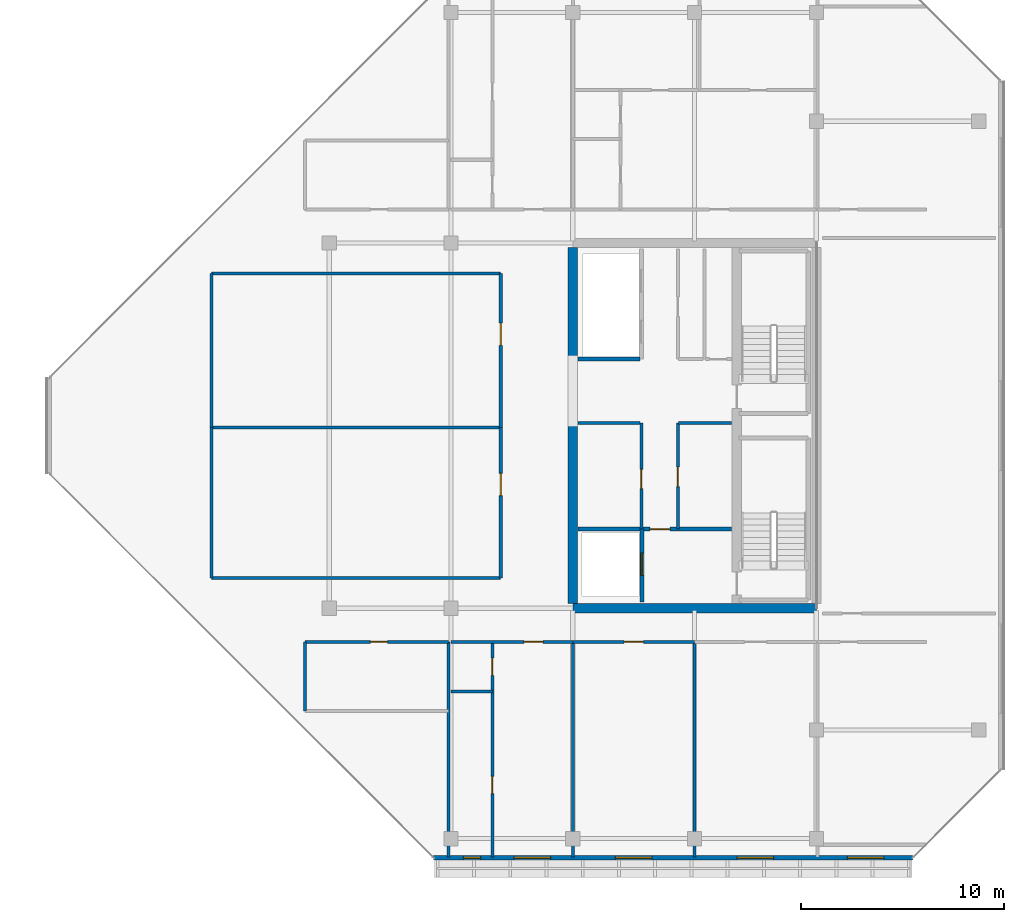
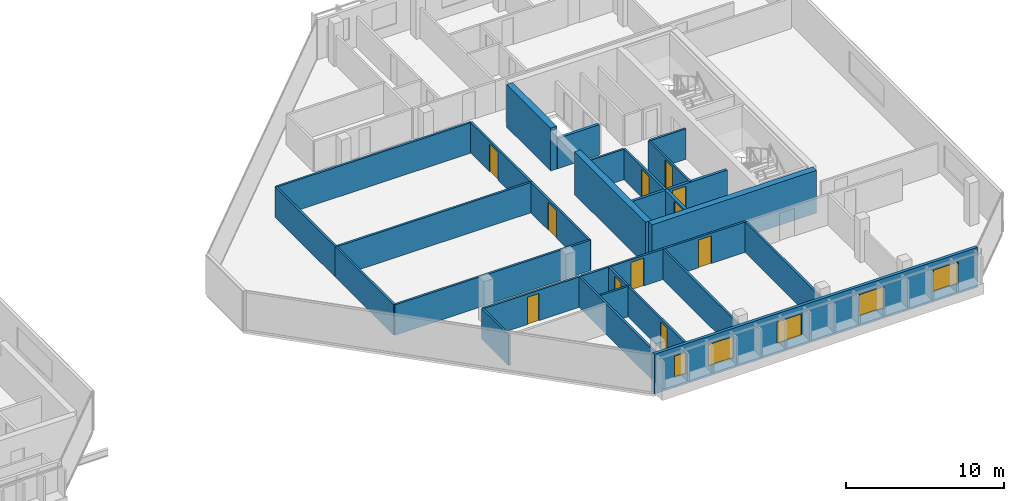
# One storey, part 22 of 28: 27 walls, 11 doors, 5 windows, 16 openings.
"""IFC4 building model written with IfcOpenShell, lengths in metres."""

from ifc_helpers import new_model, si_unit, direction, frame, frame_2d, origin, place, context, subcontext, project, spatial, rectangle, extrude, material, layer, layer_set, type_object, element, fill, save


model = new_model("IFC4")

# Units and contexts
model_context = context("Model", 3, precision=1e-05, world=origin(), true_north=direction((0.0, 1.0)))
body_context = subcontext(model_context, "Body", "Model", "MODEL_VIEW")
ifc_project = project(units=[si_unit("LENGTHUNIT", "METRE"), si_unit("AREAUNIT", "SQUARE_METRE"), si_unit("VOLUMEUNIT", "CUBIC_METRE"), si_unit("PLANEANGLEUNIT", "RADIAN"), si_unit("MASSUNIT", "GRAM", prefix="KILO")], contexts=[model_context])

# Site, building, storey
site_placement = place(None, origin())
site = spatial("IfcSite", under=ifc_project, at=site_placement, CompositionType="ELEMENT")
building_placement = place(site_placement, origin())
building = spatial("IfcBuilding", under=site, at=building_placement, Name="Tanjung Sevakor Pilgrim Tower", CompositionType="ELEMENT")
storey_placement = place(building_placement, frame((0.0, 0.0, 239.25)))
storey = spatial("IfcBuildingStorey", under=building, at=storey_placement, Name="L67", CompositionType="ELEMENT", Elevation=239.25)

# Walls
ifc_material_1 = material(Name="Concrete C60/75", Category="concrete")
ifc_layer_1 = layer(ifc_material_1, 0.449951171875)
ifc_layer_set_1 = layer_set([ifc_layer_1], Name="WALL-CW-450")
wall_type_1 = type_object("IfcWallType", Name="WALL-CW-450", PredefinedType="SHEAR", material=ifc_layer_set_1)
wall_1_placement = place(storey_placement, frame((78.0, 24.60009765625, 0.0), z_axis=(0.0, 0.0, 1.0), x_axis=(1.0, 0.0, 0.0)))
element("IfcWall", 1, at=wall_1_placement, inside=storey, type_object=wall_type_1, Name="L67 E Core South Shear Wall", PredefinedType="SHEAR", context=body_context, shape_type="SweptSolid", body=[
    extrude(rectangle(XDim=12.0, YDim=0.449951171875, at=frame_2d((6.0, 0.0))), origin(), (0.0, 0.0, 1.0), 3.300048828125),
])
wall_2_placement = place(storey_placement, frame((78.0, 24.824951171875, 0.0), z_axis=(0.0, 0.0, 1.0), x_axis=(0.0, 1.0, 0.0)))
element("IfcWall", 2, at=wall_2_placement, inside=storey, type_object=wall_type_1, Name="L67 E Core Inner Shear Wall South", PredefinedType="SHEAR", context=body_context, shape_type="SweptSolid", body=[
    extrude(rectangle(XDim=8.97509765625, YDim=0.449951171875, at=frame_2d((4.487548828125, 0.0))), origin(), (0.0, 0.0, 1.0), 3.300048828125),
])
wall_3_placement = place(storey_placement, frame((78.0, 36.800048828125, 0.0), z_axis=(0.0, 0.0, 1.0), x_axis=(0.0, 1.0, 0.0)))
element("IfcWall", 3, at=wall_3_placement, inside=storey, type_object=wall_type_1, Name="L67 E Core Inner Shear Wall North", PredefinedType="SHEAR", context=body_context, shape_type="SweptSolid", body=[
    extrude(rectangle(XDim=5.574951171875, YDim=0.449951171875, at=frame_2d((2.78759765625, 0.0))), origin(), (0.0, 0.0, 1.0), 3.300048828125),
])
ifc_material_2 = material(Name="Concrete C40/50", Category="concrete")
ifc_layer_2 = layer(ifc_material_2, 0.14990234375)
ifc_layer_set_2 = layer_set([ifc_layer_2], Name="WT-COMP-150")
wall_type_2 = type_object("IfcWallType", Name="WT-COMP-150", PredefinedType="SOLIDWALL", material=ifc_layer_set_2)
wall_4_placement = place(storey_placement, frame((83.199951171875, 33.719970703125, 0.0), z_axis=(0.0, 0.0, 1.0), x_axis=(1.0, 0.0, 0.0)))
element("IfcWall", 4, at=wall_4_placement, inside=storey, type_object=wall_type_2, Name="L67 Partition IW-L67-015", PredefinedType="SOLIDWALL", context=body_context, shape_type="SweptSolid", body=[
    extrude(rectangle(XDim=2.630126953125, YDim=0.14990234375, at=frame_2d((1.31494140625, 0.0))), origin(), (0.0, 0.0, 1.0), 2.35009765625),
])

# Wall, opening, door
wall_5_placement = place(storey_placement, frame((83.179931640625, 28.5, 0.0), z_axis=(0.0, 0.0, 1.0), x_axis=(0.0, 1.0, 0.0)))
wall_5 = element("IfcWall", 5, at=wall_5_placement, inside=storey, type_object=wall_type_2, Name="L67 Partition IW-L67-016", PredefinedType="SOLIDWALL", context=body_context, shape_type="SweptSolid", body=[
    extrude(rectangle(XDim=5.219970703125, YDim=0.14990234375, at=frame_2d((2.60986328125, 0.0))), origin(), (0.0, 0.0, 1.0), 2.35009765625),
])
opening_1_placement = place(wall_5_placement, frame((2.10009765625, 0.0, 0.0)))
opening_1 = element("IfcOpeningElement", 6, at=opening_1_placement, cuts=wall_5, Name="Opening ID-FD2", PredefinedType="OPENING", context=body_context, shape_type="SweptSolid", body=[
    extrude(rectangle(XDim=0.949951171875, YDim=2.14990234375, at=frame_2d((0.47509765625, 1.074951171875))), frame((0.0, 0.0849609375, 0.0), z_axis=(0.0, -1.0, 0.0), x_axis=(1.0, 0.0, 0.0)), (0.0, 0.0, 1.0), 0.169921875),
])
ifc_material_3 = material(Name="Fire-Rated Timber", Category="wood")
door_type_1 = type_object("IfcDoorType", Name="DT-FIRE-950", OperationType="NOTDEFINED", PredefinedType="DOOR", material=ifc_material_3)
door_1_placement = place(opening_1_placement, origin())
door_1 = element("IfcDoor", 7, at=door_1_placement, inside=storey, type_object=door_type_1, Name="L67 Housekeeping Pantry Door", OperationType="SINGLE_SWING_LEFT", OverallHeight=2.14990234375, OverallWidth=0.949951171875, PredefinedType="DOOR", context=body_context, shape_type="SweptSolid", body=[
    extrude(rectangle(XDim=0.949951171875, YDim=2.14990234375, at=frame_2d((0.47509765625, 1.074951171875))), frame((0.0, 0.02490234375, 0.0), z_axis=(0.0, -1.0, 0.0), x_axis=(1.0, 0.0, 0.0)), (0.0, 0.0, 1.0), 0.050048828125),
])
fill(opening_1, door_1)

# Wall
wall_6_placement = place(storey_placement, frame((78.2451171875, 33.719970703125, 0.0), z_axis=(0.0, 0.0, 1.0), x_axis=(1.0, 0.0, 0.0)))
element("IfcWall", 8, at=wall_6_placement, inside=storey, type_object=wall_type_2, Name="L67 Partition IW-L67-017", PredefinedType="SOLIDWALL", context=body_context, shape_type="SweptSolid", body=[
    extrude(rectangle(XDim=3.074951171875, YDim=0.14990234375, at=frame_2d((1.53759765625, 0.0))), origin(), (0.0, 0.0, 1.0), 2.35009765625),
])

# Wall, opening, door
wall_7_placement = place(storey_placement, frame((81.3798828125, 28.5, 0.0), z_axis=(0.0, 0.0, 1.0), x_axis=(0.0, 1.0, 0.0)))
wall_7 = element("IfcWall", 9, at=wall_7_placement, inside=storey, type_object=wall_type_2, Name="L67 Partition IW-L67-018", PredefinedType="SOLIDWALL", context=body_context, shape_type="SweptSolid", body=[
    extrude(rectangle(XDim=5.219970703125, YDim=0.14990234375, at=frame_2d((2.60986328125, 0.0))), origin(), (0.0, 0.0, 1.0), 2.35009765625),
])
opening_2_placement = place(wall_7_placement, frame((2.0, 0.0, 0.0)))
opening_2 = element("IfcOpeningElement", 10, at=opening_2_placement, cuts=wall_7, Name="Opening ID-FD2", PredefinedType="OPENING", context=body_context, shape_type="SweptSolid", body=[
    extrude(rectangle(XDim=0.949951171875, YDim=2.14990234375, at=frame_2d((0.47509765625, 1.074951171875))), frame((0.0, 0.0849609375, 0.0), z_axis=(0.0, -1.0, 0.0), x_axis=(1.0, 0.0, 0.0)), (0.0, 0.0, 1.0), 0.169921875),
])
door_2_placement = place(opening_2_placement, origin())
door_2 = element("IfcDoor", 11, at=door_2_placement, inside=storey, type_object=door_type_1, Name="L67 Accessible WC Door", OperationType="SINGLE_SWING_RIGHT", OverallHeight=2.14990234375, OverallWidth=0.949951171875, PredefinedType="DOOR", context=body_context, shape_type="SweptSolid", body=[
    extrude(rectangle(XDim=0.949951171875, YDim=2.14990234375, at=frame_2d((0.47509765625, 1.074951171875))), frame((0.0, 0.02490234375, 0.0), z_axis=(0.0, -1.0, 0.0), x_axis=(1.0, 0.0, 0.0)), (0.0, 0.0, 1.0), 0.050048828125),
])
fill(opening_2, door_2)

wall_8_placement = place(storey_placement, frame((64.800048828125, 22.949951171875, 0.0), z_axis=(0.0, 0.0, 1.0), x_axis=(1.0, 0.0, 0.0)))
wall_8 = element("IfcWall", 12, at=wall_8_placement, inside=storey, type_object=wall_type_2, Name="L67 Partition IW-L67-034", PredefinedType="SOLIDWALL", context=body_context, shape_type="SweptSolid", body=[
    extrude(rectangle(XDim=7.079833984375, YDim=0.14990234375, at=frame_2d((3.5400390625, 0.0))), origin(), (0.0, 0.0, 1.0), 2.35009765625),
])
opening_3_placement = place(wall_8_placement, frame((3.22509765625, 0.0, 0.0)))
opening_3 = element("IfcOpeningElement", 13, at=opening_3_placement, cuts=wall_8, Name="Opening ID-WC1", PredefinedType="OPENING", context=body_context, shape_type="SweptSolid", body=[
    extrude(rectangle(XDim=0.85009765625, YDim=2.10009765625, at=frame_2d((0.425048828125, 1.050048828125))), frame((0.0, 0.0849609375, 0.0), z_axis=(0.0, -1.0, 0.0), x_axis=(1.0, 0.0, 0.0)), (0.0, 0.0, 1.0), 0.169921875),
])
ifc_material_4 = material(Name="Moisture-Resistant Timber", Category="wood")
door_type_2 = type_object("IfcDoorType", Name="DT-INT-850", OperationType="NOTDEFINED", PredefinedType="DOOR", material=ifc_material_4)
door_3_placement = place(opening_3_placement, origin())
door_3 = element("IfcDoor", 14, at=door_3_placement, inside=storey, type_object=door_type_2, Name="L67 SW Crown Suite Door", OperationType="SINGLE_SWING_RIGHT", OverallHeight=2.10009765625, OverallWidth=0.85009765625, PredefinedType="DOOR", context=body_context, shape_type="SweptSolid", body=[
    extrude(rectangle(XDim=0.85009765625, YDim=2.10009765625, at=frame_2d((0.425048828125, 1.050048828125))), frame((0.0, 0.02490234375, 0.0), z_axis=(0.0, -1.0, 0.0), x_axis=(1.0, 0.0, 0.0)), (0.0, 0.0, 1.0), 0.050048828125),
])
fill(opening_3, door_3)

# Walls
wall_9_placement = place(storey_placement, frame((64.800048828125, 19.550048828125, 0.0), z_axis=(0.0, 0.0, 1.0), x_axis=(0.0, 1.0, 0.0)))
element("IfcWall", 15, at=wall_9_placement, inside=storey, type_object=wall_type_2, Name="L67 Partition IW-L67-035", PredefinedType="SOLIDWALL", context=body_context, shape_type="SweptSolid", body=[
    extrude(rectangle(XDim=3.39990234375, YDim=0.14990234375, at=frame_2d((1.699951171875, 0.0))), origin(), (0.0, 0.0, 1.0), 2.35009765625),
])
for number, where, z_axis, x_axis, name in (
    (16, (71.8798828125, 12.340087890625, 0.0), (0.0, 0.0, 1.0), (0.0, 1.0, 0.0), "L67 Partition IW-L67-036"),
    (17, (78.0, 12.340087890625, 0.0), (0.0, 0.0, 1.0), (0.0, 1.0, 0.0), "L67 Partition IW-L67-049"),
):
    element("IfcWall", number, at=place(storey_placement, frame(where, z_axis=z_axis, x_axis=x_axis)), inside=storey, type_object=wall_type_2, Name=name, PredefinedType="SOLIDWALL", context=body_context, shape_type="SweptSolid", body=[
        extrude(rectangle(XDim=10.60986328125, YDim=0.14990234375, at=frame_2d((5.304931640625, 0.0))), origin(), (0.0, 0.0, 1.0), 2.35009765625),
    ])

# Wall, opening, door
wall_10_placement = place(storey_placement, frame((72.0, 22.949951171875, 0.0), z_axis=(0.0, 0.0, 1.0), x_axis=(1.0, 0.0, 0.0)))
wall_10 = element("IfcWall", 18, at=wall_10_placement, inside=storey, type_object=wall_type_2, Name="L67 Partition IW-L67-052", PredefinedType="SOLIDWALL", context=body_context, shape_type="SweptSolid", body=[
    extrude(rectangle(XDim=6.0, YDim=0.14990234375, at=frame_2d((3.0, 0.0))), origin(), (0.0, 0.0, 1.0), 2.35009765625),
])
opening_4_placement = place(wall_10_placement, frame((3.5849609375, 0.0, 0.0)))
opening_4 = element("IfcOpeningElement", 19, at=opening_4_placement, cuts=wall_10, Name="Opening ID-FD2", PredefinedType="OPENING", context=body_context, shape_type="SweptSolid", body=[
    extrude(rectangle(XDim=0.949951171875, YDim=2.14990234375, at=frame_2d((0.47509765625, 1.074951171875))), frame((0.0, 0.0849609375, 0.0), z_axis=(0.0, -1.0, 0.0), x_axis=(1.0, 0.0, 0.0)), (0.0, 0.0, 1.0), 0.169921875),
])
door_4_placement = place(opening_4_placement, origin())
door_4 = element("IfcDoor", 20, at=door_4_placement, inside=storey, type_object=door_type_1, Name="Hotel Guestroom Entrance", OperationType="SINGLE_SWING_LEFT", OverallHeight=2.14990234375, OverallWidth=0.949951171875, PredefinedType="DOOR", context=body_context, shape_type="SweptSolid", body=[
    extrude(rectangle(XDim=0.949951171875, YDim=2.14990234375, at=frame_2d((0.47509765625, 1.074951171875))), frame((0.0, 0.02490234375, 0.0), z_axis=(0.0, -1.0, 0.0), x_axis=(1.0, 0.0, 0.0)), (0.0, 0.0, 1.0), 0.050048828125),
])
fill(opening_4, door_4)

# Wall
wall_11_placement = place(storey_placement, frame((84.0, 12.340087890625, 0.0), z_axis=(0.0, 0.0, 1.0), x_axis=(0.0, 1.0, 0.0)))
element("IfcWall", 21, at=wall_11_placement, inside=storey, type_object=wall_type_2, Name="L67 Partition IW-L67-053", PredefinedType="SOLIDWALL", context=body_context, shape_type="SweptSolid", body=[
    extrude(rectangle(XDim=10.60986328125, YDim=0.14990234375, at=frame_2d((5.304931640625, 0.0))), origin(), (0.0, 0.0, 1.0), 2.35009765625),
])

# Wall, opening, door
wall_12_placement = place(storey_placement, frame((78.0, 22.949951171875, 0.0), z_axis=(0.0, 0.0, 1.0), x_axis=(1.0, 0.0, 0.0)))
wall_12 = element("IfcWall", 22, at=wall_12_placement, inside=storey, type_object=wall_type_2, Name="L67 Partition IW-L67-054", PredefinedType="SOLIDWALL", context=body_context, shape_type="SweptSolid", body=[
    extrude(rectangle(XDim=6.0, YDim=0.14990234375, at=frame_2d((3.0, 0.0))), origin(), (0.0, 0.0, 1.0), 2.35009765625),
])
opening_5_placement = place(wall_12_placement, frame((2.52490234375, 0.0, 0.0)))
opening_5 = element("IfcOpeningElement", 23, at=opening_5_placement, cuts=wall_12, Name="Opening ID-FD2", PredefinedType="OPENING", context=body_context, shape_type="SweptSolid", body=[
    extrude(rectangle(XDim=0.949951171875, YDim=2.14990234375, at=frame_2d((0.47509765625, 1.074951171875))), frame((0.0, 0.0849609375, 0.0), z_axis=(0.0, -1.0, 0.0), x_axis=(1.0, 0.0, 0.0)), (0.0, 0.0, 1.0), 0.169921875),
])
door_5_placement = place(opening_5_placement, origin())
door_5 = element("IfcDoor", 24, at=door_5_placement, inside=storey, type_object=door_type_1, Name="Housekeeping Pantry Door", OperationType="SINGLE_SWING_RIGHT", OverallHeight=2.14990234375, OverallWidth=0.949951171875, PredefinedType="DOOR", context=body_context, shape_type="SweptSolid", body=[
    extrude(rectangle(XDim=0.949951171875, YDim=2.14990234375, at=frame_2d((0.47509765625, 1.074951171875))), frame((0.0, 0.02490234375, 0.0), z_axis=(0.0, -1.0, 0.0), x_axis=(1.0, 0.0, 0.0)), (0.0, 0.0, 1.0), 0.050048828125),
])
fill(opening_5, door_5)

# Walls
for number, where, z_axis, x_axis, name in (
    (25, (60.199951171875, 26.10009765625, 0.0), (0.0, 0.0, 1.0), (1.0, 0.0, 0.0), "L67 Partition IW-L67-065"),
    (26, (60.199951171875, 33.5, 0.0), (0.0, 0.0, 1.0), (1.0, 0.0, 0.0), "L67 Partition IW-L67-066"),
):
    element("IfcWall", number, at=place(storey_placement, frame(where, z_axis=z_axis, x_axis=x_axis)), inside=storey, type_object=wall_type_2, Name=name, PredefinedType="SOLIDWALL", context=body_context, shape_type="SweptSolid", body=[
        extrude(rectangle(XDim=14.25, YDim=0.14990234375, at=frame_2d((7.125, 0.0))), origin(), (0.0, 0.0, 1.0), 2.35009765625),
    ])
wall_13_placement = place(storey_placement, frame((60.199951171875, 26.10009765625, 0.0), z_axis=(0.0, 0.0, 1.0), x_axis=(0.0, 1.0, 0.0)))
element("IfcWall", 27, at=wall_13_placement, inside=storey, type_object=wall_type_2, Name="L67 Partition IW-L67-067", PredefinedType="SOLIDWALL", context=body_context, shape_type="SweptSolid", body=[
    extrude(rectangle(XDim=7.39990234375, YDim=0.14990234375, at=frame_2d((3.699951171875, 0.0))), origin(), (0.0, 0.0, 1.0), 2.35009765625),
])

# Wall, opening, door
wall_14_placement = place(storey_placement, frame((74.449951171875, 26.10009765625, 0.0), z_axis=(0.0, 0.0, 1.0), x_axis=(0.0, 1.0, 0.0)))
wall_14 = element("IfcWall", 28, at=wall_14_placement, inside=storey, type_object=wall_type_2, Name="L67 Partition IW-L67-068", PredefinedType="SOLIDWALL", context=body_context, shape_type="SweptSolid", body=[
    extrude(rectangle(XDim=7.39990234375, YDim=0.14990234375, at=frame_2d((3.699951171875, 0.0))), origin(), (0.0, 0.0, 1.0), 2.35009765625),
])
opening_6_placement = place(wall_14_placement, frame((4.050048828125, 0.0, 0.0)))
opening_6 = element("IfcOpeningElement", 29, at=opening_6_placement, cuts=wall_14, Name="Opening ID-RM2", PredefinedType="OPENING", context=body_context, shape_type="SweptSolid", body=[
    extrude(rectangle(XDim=1.10009765625, YDim=2.14990234375, at=frame_2d((0.550048828125, 1.074951171875))), frame((0.0, 0.0849609375, 0.0), z_axis=(0.0, -1.0, 0.0), x_axis=(1.0, 0.0, 0.0)), (0.0, 0.0, 1.0), 0.169921875),
])
ifc_material_5 = material(Name="Hardwood Timber", Category="wood")
door_type_3 = type_object("IfcDoorType", Name="DT-INT-1100", OperationType="NOTDEFINED", PredefinedType="DOOR", material=ifc_material_5)
door_6_placement = place(opening_6_placement, origin())
door_6 = element("IfcDoor", 30, at=door_6_placement, inside=storey, type_object=door_type_3, Name="L67 Crown Chapel Door", OperationType="SINGLE_SWING_RIGHT", OverallHeight=2.14990234375, OverallWidth=1.10009765625, PredefinedType="DOOR", context=body_context, shape_type="SweptSolid", body=[
    extrude(rectangle(XDim=1.10009765625, YDim=2.14990234375, at=frame_2d((0.550048828125, 1.074951171875))), frame((0.0, 0.02490234375, 0.0), z_axis=(0.0, -1.0, 0.0), x_axis=(1.0, 0.0, 0.0)), (0.0, 0.0, 1.0), 0.050048828125),
])
fill(opening_6, door_6)

# Walls
wall_15_placement = place(storey_placement, frame((60.199951171875, 41.10009765625, 0.0), z_axis=(0.0, 0.0, 1.0), x_axis=(1.0, 0.0, 0.0)))
element("IfcWall", 31, at=wall_15_placement, inside=storey, type_object=wall_type_2, Name="L67 Partition IW-L67-069", PredefinedType="SOLIDWALL", context=body_context, shape_type="SweptSolid", body=[
    extrude(rectangle(XDim=14.25, YDim=0.14990234375, at=frame_2d((7.125, 0.0))), origin(), (0.0, 0.0, 1.0), 2.35009765625),
])
wall_16_placement = place(storey_placement, frame((60.199951171875, 33.5, 0.0), z_axis=(0.0, 0.0, 1.0), x_axis=(0.0, 1.0, 0.0)))
element("IfcWall", 32, at=wall_16_placement, inside=storey, type_object=wall_type_2, Name="L67 Partition IW-L67-070", PredefinedType="SOLIDWALL", context=body_context, shape_type="SweptSolid", body=[
    extrude(rectangle(XDim=7.60009765625, YDim=0.14990234375, at=frame_2d((3.800048828125, 0.0))), origin(), (0.0, 0.0, 1.0), 2.35009765625),
])

# Wall, opening, door
wall_17_placement = place(storey_placement, frame((74.449951171875, 33.5, 0.0), z_axis=(0.0, 0.0, 1.0), x_axis=(0.0, 1.0, 0.0)))
wall_17 = element("IfcWall", 33, at=wall_17_placement, inside=storey, type_object=wall_type_2, Name="L67 Partition IW-L67-071", PredefinedType="SOLIDWALL", context=body_context, shape_type="SweptSolid", body=[
    extrude(rectangle(XDim=7.60009765625, YDim=0.14990234375, at=frame_2d((3.800048828125, 0.0))), origin(), (0.0, 0.0, 1.0), 2.35009765625),
])
opening_7_placement = place(wall_17_placement, frame((4.050048828125, 0.0, 0.0)))
opening_7 = element("IfcOpeningElement", 34, at=opening_7_placement, cuts=wall_17, Name="Opening ID-RM2", PredefinedType="OPENING", context=body_context, shape_type="SweptSolid", body=[
    extrude(rectangle(XDim=1.10009765625, YDim=2.14990234375, at=frame_2d((0.550048828125, 1.074951171875))), frame((0.0, 0.0849609375, 0.0), z_axis=(0.0, -1.0, 0.0), x_axis=(1.0, 0.0, 0.0)), (0.0, 0.0, 1.0), 0.169921875),
])
door_7_placement = place(opening_7_placement, origin())
door_7 = element("IfcDoor", 35, at=door_7_placement, inside=storey, type_object=door_type_3, Name="L67 Crown Lounge Door", OperationType="SINGLE_SWING_LEFT", OverallHeight=2.14990234375, OverallWidth=1.10009765625, PredefinedType="DOOR", context=body_context, shape_type="SweptSolid", body=[
    extrude(rectangle(XDim=1.10009765625, YDim=2.14990234375, at=frame_2d((0.550048828125, 1.074951171875))), frame((0.0, 0.02490234375, 0.0), z_axis=(0.0, -1.0, 0.0), x_axis=(1.0, 0.0, 0.0)), (0.0, 0.0, 1.0), 0.050048828125),
])
fill(opening_7, door_7)

# Wall, openings, windows
ifc_material_6 = material(Name="Precast concrete C45/55", Category="concrete")
ifc_layer_3 = layer(ifc_material_6, 0.219970703125)
ifc_layer_set_3 = layer_set([ifc_layer_3], Name="WT-EW-STN4")
wall_type_3 = type_object("IfcWallType", Name="WT-EW-STN4", PredefinedType="SOLIDWALL", material=ifc_layer_set_3)
wall_18_placement = place(storey_placement, frame((71.1455078125, 12.31005859375, 0.0), z_axis=(0.0, 0.0, 1.0), x_axis=(1.0, 0.0, 0.0)))
wall_18 = element("IfcWall", 36, at=wall_18_placement, inside=storey, type_object=wall_type_3, Name="L67 EAST Exterior Wall 1", PredefinedType="SOLIDWALL", context=body_context, shape_type="SweptSolid", body=[
    extrude(rectangle(XDim=23.60888671875, YDim=0.219970703125, at=frame_2d((11.804443359375, 0.0))), origin(), (0.0, 0.0, 1.0), 3.080078125),
])
opening_8_placement = place(wall_18_placement, frame((20.381591796875, 0.0, 0.780029296875)))
opening_8 = element("IfcOpeningElement", 37, at=opening_8_placement, cuts=wall_18, Name="Opening WN-Z3-1660", PredefinedType="OPENING", context=body_context, shape_type="SweptSolid", body=[
    extrude(rectangle(XDim=1.800048828125, YDim=1.659912109375, at=frame_2d((0.89990234375, 0.830078125))), frame((0.0, 0.119873046875, 0.0), z_axis=(0.0, -1.0, 0.0), x_axis=(1.0, 0.0, 0.0)), (0.0, 0.0, 1.0), 0.239990234375),
])
opening_9_placement = place(wall_18_placement, frame((1.45947265625, 0.0, 0.780029296875)))
opening_9 = element("IfcOpeningElement", 38, at=opening_9_placement, cuts=wall_18, Name="Opening WN-SLM", PredefinedType="OPENING", context=body_context, shape_type="SweptSolid", body=[
    extrude(rectangle(XDim=0.85009765625, YDim=1.64990234375, at=frame_2d((0.425048828125, 0.824951171875))), frame((0.0, 0.119873046875, 0.0), z_axis=(0.0, -1.0, 0.0), x_axis=(1.0, 0.0, 0.0)), (0.0, 0.0, 1.0), 0.239990234375),
])
opening_10_placement = place(wall_18_placement, frame((3.96435546875, 0.0, 0.780029296875)))
opening_10 = element("IfcOpeningElement", 39, at=opening_10_placement, cuts=wall_18, Name="Opening WN-Z3-1660", PredefinedType="OPENING", context=body_context, shape_type="SweptSolid", body=[
    extrude(rectangle(XDim=1.800048828125, YDim=1.659912109375, at=frame_2d((0.89990234375, 0.830078125))), frame((0.0, 0.119873046875, 0.0), z_axis=(0.0, -1.0, 0.0), x_axis=(1.0, 0.0, 0.0)), (0.0, 0.0, 1.0), 0.239990234375),
])
opening_11_placement = place(wall_18_placement, frame((8.954345703125, 0.0, 0.780029296875)))
opening_11 = element("IfcOpeningElement", 40, at=opening_11_placement, cuts=wall_18, Name="Opening WN-Z3-1660", PredefinedType="OPENING", context=body_context, shape_type="SweptSolid", body=[
    extrude(rectangle(XDim=1.800048828125, YDim=1.659912109375, at=frame_2d((0.89990234375, 0.830078125))), frame((0.0, 0.119873046875, 0.0), z_axis=(0.0, -1.0, 0.0), x_axis=(1.0, 0.0, 0.0)), (0.0, 0.0, 1.0), 0.239990234375),
])
opening_12_placement = place(wall_18_placement, frame((14.954345703125, 0.0, 0.780029296875)))
opening_12 = element("IfcOpeningElement", 41, at=opening_12_placement, cuts=wall_18, Name="Opening WN-Z3-1660", PredefinedType="OPENING", context=body_context, shape_type="SweptSolid", body=[
    extrude(rectangle(XDim=1.800048828125, YDim=1.659912109375, at=frame_2d((0.89990234375, 0.830078125))), frame((0.0, 0.119873046875, 0.0), z_axis=(0.0, -1.0, 0.0), x_axis=(1.0, 0.0, 0.0)), (0.0, 0.0, 1.0), 0.239990234375),
])
ifc_material_7 = material(Name="Thermally Broken Aluminium and Low-E Glass", Category="aluminium")
window_type_1 = type_object("IfcWindowType", Name="WTYP-WN-SLM", PartitioningType="SINGLE_PANEL", PredefinedType="WINDOW", material=ifc_material_7)
window_1_placement = place(opening_9_placement, origin())
window_1 = element("IfcWindow", 42, at=window_1_placement, inside=storey, type_object=window_type_1, Name="L67 Facade Window 02", OverallHeight=1.64990234375, OverallWidth=0.85009765625, PartitioningType="SINGLE_PANEL", PredefinedType="WINDOW", context=body_context, shape_type="SweptSolid", body=[
    extrude(rectangle(XDim=0.85009765625, YDim=1.64990234375, at=frame_2d((0.425048828125, 0.824951171875))), frame((0.0, 0.030029296875, 0.0), z_axis=(0.0, -1.0, 0.0), x_axis=(1.0, 0.0, 0.0)), (0.0, 0.0, 1.0), 0.06005859375),
])
fill(opening_9, window_1)
ifc_material_8 = material(Name="Thermally Broken Aluminium and Low-E Glass", Category="aluminium")
window_type_2 = type_object("IfcWindowType", Name="WTYP-WN-Z3-1660", PartitioningType="DOUBLE_PANEL_VERTICAL", PredefinedType="WINDOW", material=ifc_material_8)
window_2_placement = place(opening_8_placement, origin())
window_2 = element("IfcWindow", 43, at=window_2_placement, inside=storey, type_object=window_type_2, Name="L67 Facade Window 01", OverallHeight=1.659912109375, OverallWidth=1.800048828125, PartitioningType="SINGLE_PANEL", PredefinedType="WINDOW", context=body_context, shape_type="SweptSolid", body=[
    extrude(rectangle(XDim=1.800048828125, YDim=1.659912109375, at=frame_2d((0.89990234375, 0.830078125))), frame((0.0, 0.030029296875, 0.0), z_axis=(0.0, -1.0, 0.0), x_axis=(1.0, 0.0, 0.0)), (0.0, 0.0, 1.0), 0.06005859375),
])
fill(opening_8, window_2)
window_3_placement = place(opening_10_placement, origin())
window_3 = element("IfcWindow", 44, at=window_3_placement, inside=storey, type_object=window_type_2, Name="L67 Facade Window 03", OverallHeight=1.659912109375, OverallWidth=1.800048828125, PartitioningType="SINGLE_PANEL", PredefinedType="WINDOW", context=body_context, shape_type="SweptSolid", body=[
    extrude(rectangle(XDim=1.800048828125, YDim=1.659912109375, at=frame_2d((0.89990234375, 0.830078125))), frame((0.0, 0.030029296875, 0.0), z_axis=(0.0, -1.0, 0.0), x_axis=(1.0, 0.0, 0.0)), (0.0, 0.0, 1.0), 0.06005859375),
])
fill(opening_10, window_3)
window_4_placement = place(opening_11_placement, origin())
window_4 = element("IfcWindow", 45, at=window_4_placement, inside=storey, type_object=window_type_2, Name="L67 Facade Window 04", OverallHeight=1.659912109375, OverallWidth=1.800048828125, PartitioningType="SINGLE_PANEL", PredefinedType="WINDOW", context=body_context, shape_type="SweptSolid", body=[
    extrude(rectangle(XDim=1.800048828125, YDim=1.659912109375, at=frame_2d((0.89990234375, 0.830078125))), frame((0.0, 0.030029296875, 0.0), z_axis=(0.0, -1.0, 0.0), x_axis=(1.0, 0.0, 0.0)), (0.0, 0.0, 1.0), 0.06005859375),
])
fill(opening_11, window_4)
window_5_placement = place(opening_12_placement, origin())
window_5 = element("IfcWindow", 46, at=window_5_placement, inside=storey, type_object=window_type_2, Name="L67 Facade Window 05", OverallHeight=1.659912109375, OverallWidth=1.800048828125, PartitioningType="SINGLE_PANEL", PredefinedType="WINDOW", context=body_context, shape_type="SweptSolid", body=[
    extrude(rectangle(XDim=1.800048828125, YDim=1.659912109375, at=frame_2d((0.89990234375, 0.830078125))), frame((0.0, 0.030029296875, 0.0), z_axis=(0.0, -1.0, 0.0), x_axis=(1.0, 0.0, 0.0)), (0.0, 0.0, 1.0), 0.06005859375),
])
fill(opening_12, window_5)

# Wall, opening, door
ifc_material_9 = material(Name="Concrete C40/50", Category="concrete")
ifc_layer_4 = layer(ifc_material_9, 0.199951171875)
ifc_layer_set_4 = layer_set([ifc_layer_4], Name="WT-FPRT-200")
wall_type_4 = type_object("IfcWallType", Name="WT-FPRT-200", PredefinedType="SOLIDWALL", material=ifc_layer_set_4)
wall_19_placement = place(storey_placement, frame((81.39990234375, 24.919921875, 0.0), z_axis=(0.0, 0.0, 1.0), x_axis=(0.0, 1.0, 0.0)))
wall_19 = element("IfcWall", 47, at=wall_19_placement, inside=storey, type_object=wall_type_4, Name="L67 Partition IW-L67-013", PredefinedType="SOLIDWALL", context=body_context, shape_type="SweptSolid", body=[
    extrude(rectangle(XDim=3.580078125, YDim=0.199951171875, at=frame_2d((1.7900390625, 0.0))), origin(), (0.0, 0.0, 1.0), 2.35009765625),
])
opening_13_placement = place(wall_19_placement, frame((1.300048828125, 0.0, 0.0)))
opening_13 = element("IfcOpeningElement", 48, at=opening_13_placement, cuts=wall_19, Name="Opening LD-1100", PredefinedType="OPENING", context=body_context, shape_type="SweptSolid", body=[
    extrude(rectangle(XDim=1.10009765625, YDim=2.199951171875, at=frame_2d((0.550048828125, 1.10009765625))), frame((0.0, 0.10986328125, 0.0), z_axis=(0.0, -1.0, 0.0), x_axis=(1.0, 0.0, 0.0)), (0.0, 0.0, 1.0), 0.219970703125),
])
ifc_material_10 = material(Name="Brushed Stainless Steel S355J2", Category="steel")
door_type_4 = type_object("IfcDoorType", Name="DT-LIFT-1100", OperationType="SLIDING_TO_LEFT", PredefinedType="DOOR", material=ifc_material_10)
door_8_placement = place(opening_13_placement, origin())
door_8 = element("IfcDoor", 49, at=door_8_placement, inside=storey, type_object=door_type_4, Name="LD-FL-E", OperationType="SLIDING_TO_LEFT", OverallHeight=2.199951171875, OverallWidth=1.10009765625, PredefinedType="DOOR", context=body_context, shape_type="SweptSolid", body=[
    extrude(rectangle(XDim=1.10009765625, YDim=2.199951171875, at=frame_2d((0.550048828125, 1.10009765625))), frame((0.0, 0.02490234375, 0.0), z_axis=(0.0, -1.0, 0.0), x_axis=(1.0, 0.0, 0.0)), (0.0, 0.0, 1.0), 0.050048828125),
])
fill(opening_13, door_8)

wall_20_placement = place(storey_placement, frame((78.2451171875, 28.5, 0.0), z_axis=(0.0, 0.0, 1.0), x_axis=(1.0, 0.0, 0.0)))
wall_20 = element("IfcWall", 50, at=wall_20_placement, inside=storey, type_object=wall_type_4, Name="L67 Partition IW-L67-014", PredefinedType="SOLIDWALL", context=body_context, shape_type="SweptSolid", body=[
    extrude(rectangle(XDim=7.5849609375, YDim=0.199951171875, at=frame_2d((3.79248046875, 0.0))), origin(), (0.0, 0.0, 1.0), 2.35009765625),
])
opening_14_placement = place(wall_20_placement, frame((3.554931640625, 0.0, 0.0)))
opening_14 = element("IfcOpeningElement", 51, at=opening_14_placement, cuts=wall_20, Name="Opening ID-FD1", PredefinedType="OPENING", context=body_context, shape_type="SweptSolid", body=[
    extrude(rectangle(XDim=1.0, YDim=2.14990234375, at=frame_2d((0.5, 1.074951171875))), frame((0.0, 0.10986328125, 0.0), z_axis=(0.0, -1.0, 0.0), x_axis=(1.0, 0.0, 0.0)), (0.0, 0.0, 1.0), 0.219970703125),
])
ifc_material_11 = material(Name="Fire-Rated Steel S355J2", Category="steel")
door_type_5 = type_object("IfcDoorType", Name="DT-FIRE-1000", OperationType="NOTDEFINED", PredefinedType="DOOR", material=ifc_material_11)
door_9_placement = place(opening_14_placement, origin())
door_9 = element("IfcDoor", 52, at=door_9_placement, inside=storey, type_object=door_type_5, Name="Fire Lobby Door E", OperationType="SINGLE_SWING_RIGHT", OverallHeight=2.14990234375, OverallWidth=1.0, PredefinedType="DOOR", context=body_context, shape_type="SweptSolid", body=[
    extrude(rectangle(XDim=1.0, YDim=2.14990234375, at=frame_2d((0.5, 1.074951171875))), frame((0.0, 0.02490234375, 0.0), z_axis=(0.0, -1.0, 0.0), x_axis=(1.0, 0.0, 0.0)), (0.0, 0.0, 1.0), 0.050048828125),
])
fill(opening_14, door_9)

# Walls
wall_21_placement = place(storey_placement, frame((78.2451171875, 36.8798828125, 0.0), z_axis=(0.0, 0.0, 1.0), x_axis=(1.0, 0.0, 0.0)))
element("IfcWall", 53, at=wall_21_placement, inside=storey, type_object=wall_type_4, Name="L67 Partition IW-L67-023", PredefinedType="SOLIDWALL", context=body_context, shape_type="SweptSolid", body=[
    extrude(rectangle(XDim=3.074951171875, YDim=0.199951171875, at=frame_2d((1.53759765625, 0.0))), origin(), (0.0, 0.0, 1.0), 2.35009765625),
])
ifc_material_12 = material(Name="Gypsum Board Partition", Category="gypsum board")
ifc_layer_5 = layer(ifc_material_12, 0.14990234375)
ifc_layer_set_5 = layer_set([ifc_layer_5], Name="WT-PART-150")
wall_type_5 = type_object("IfcWallType", Name="WT-PART-150", PredefinedType="PARTITIONING", material=ifc_layer_set_5)
wall_22_placement = place(storey_placement, frame((72.0, 20.5, 0.0), z_axis=(0.0, 0.0, 1.0), x_axis=(1.0, 0.0, 0.0)))
element("IfcWall", 54, at=wall_22_placement, inside=storey, type_object=wall_type_5, Name="L67 Partition IW-L67-050", PredefinedType="PARTITIONING", context=body_context, shape_type="SweptSolid", body=[
    extrude(rectangle(XDim=2.0400390625, YDim=0.14990234375, at=frame_2d((1.02001953125, 0.0))), origin(), (0.0, 0.0, 1.0), 2.35009765625),
])

# Wall, openings, doors
wall_23_placement = place(storey_placement, frame((74.0400390625, 12.340087890625, 0.0), z_axis=(0.0, 0.0, 1.0), x_axis=(0.0, 1.0, 0.0)))
wall_23 = element("IfcWall", 55, at=wall_23_placement, inside=storey, type_object=wall_type_5, Name="L67 Partition IW-L67-051", PredefinedType="PARTITIONING", context=body_context, shape_type="SweptSolid", body=[
    extrude(rectangle(XDim=10.60986328125, YDim=0.14990234375, at=frame_2d((5.304931640625, 0.0))), origin(), (0.0, 0.0, 1.0), 2.35009765625),
])
opening_15_placement = place(wall_23_placement, frame((3.1240234375, 0.0, 0.0)))
opening_15 = element("IfcOpeningElement", 56, at=opening_15_placement, cuts=wall_23, Name="Opening ID-WC1", PredefinedType="OPENING", context=body_context, shape_type="SweptSolid", body=[
    extrude(rectangle(XDim=0.85009765625, YDim=2.10009765625, at=frame_2d((0.425048828125, 1.050048828125))), frame((0.0, 0.0849609375, 0.0), z_axis=(0.0, -1.0, 0.0), x_axis=(1.0, 0.0, 0.0)), (0.0, 0.0, 1.0), 0.169921875),
])
opening_16_placement = place(wall_23_placement, frame((8.9599609375, 0.0, 0.0)))
opening_16 = element("IfcOpeningElement", 57, at=opening_16_placement, cuts=wall_23, Name="Opening ID-WC1", PredefinedType="OPENING", context=body_context, shape_type="SweptSolid", body=[
    extrude(rectangle(XDim=0.85009765625, YDim=2.10009765625, at=frame_2d((0.425048828125, 1.050048828125))), frame((0.0, 0.0849609375, 0.0), z_axis=(0.0, -1.0, 0.0), x_axis=(1.0, 0.0, 0.0)), (0.0, 0.0, 1.0), 0.169921875),
])
door_10_placement = place(opening_15_placement, origin())
door_10 = element("IfcDoor", 58, at=door_10_placement, inside=storey, type_object=door_type_2, Name="Study Nook Door", OperationType="SINGLE_SWING_LEFT", OverallHeight=2.10009765625, OverallWidth=0.85009765625, PredefinedType="DOOR", context=body_context, shape_type="SweptSolid", body=[
    extrude(rectangle(XDim=0.85009765625, YDim=2.10009765625, at=frame_2d((0.425048828125, 1.050048828125))), frame((0.0, 0.02490234375, 0.0), z_axis=(0.0, -1.0, 0.0), x_axis=(1.0, 0.0, 0.0)), (0.0, 0.0, 1.0), 0.050048828125),
])
fill(opening_15, door_10)
door_11_placement = place(opening_16_placement, origin())
door_11 = element("IfcDoor", 59, at=door_11_placement, inside=storey, type_object=door_type_2, Name="Bathroom Door", OperationType="SINGLE_SWING_RIGHT", OverallHeight=2.10009765625, OverallWidth=0.85009765625, PredefinedType="DOOR", context=body_context, shape_type="SweptSolid", body=[
    extrude(rectangle(XDim=0.85009765625, YDim=2.10009765625, at=frame_2d((0.425048828125, 1.050048828125))), frame((0.0, 0.02490234375, 0.0), z_axis=(0.0, -1.0, 0.0), x_axis=(1.0, 0.0, 0.0)), (0.0, 0.0, 1.0), 0.050048828125),
])
fill(opening_16, door_11)

save(model, "model.ifc")
